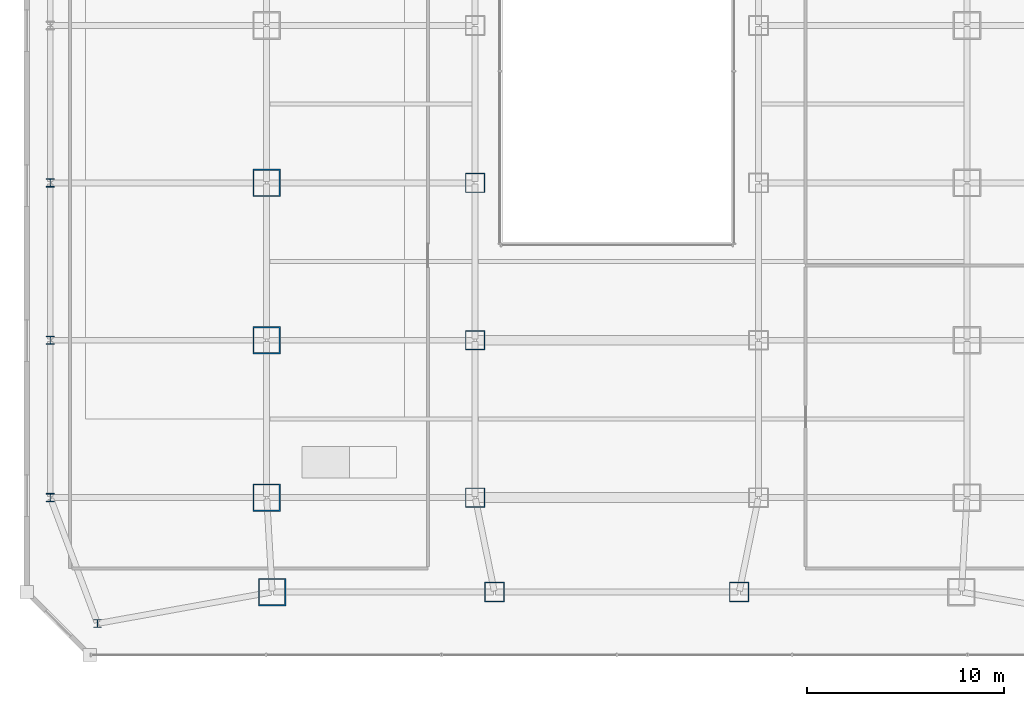
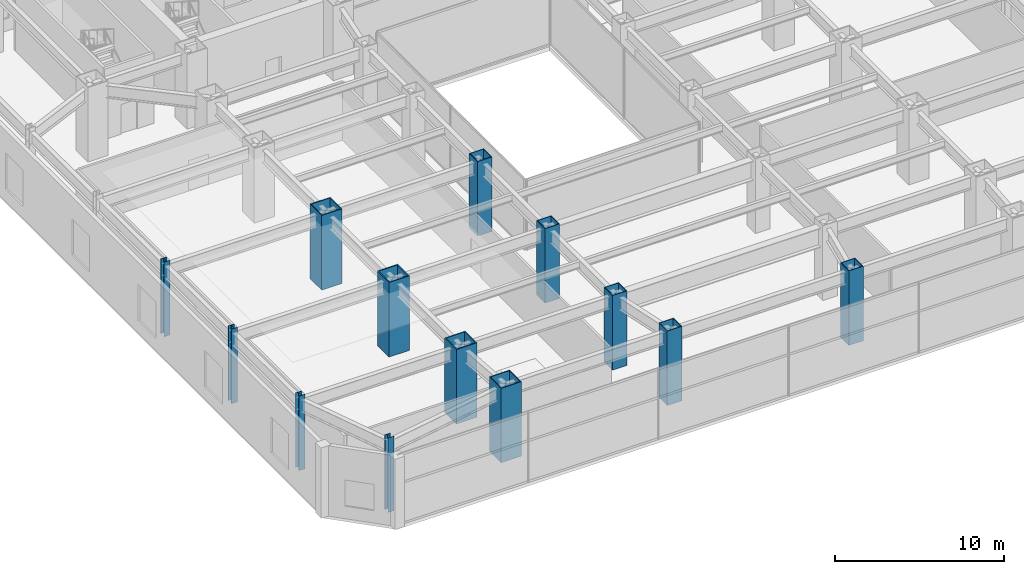
# One storey, part 1 of 51: 13 columns.
"""IFC4 building model written with IfcOpenShell, lengths in metres."""

import ifcopenshell
import ifcopenshell.guid

model = None  # the IFC model being written
_history = None  # IfcOwnerHistory: only IFC2X3 demands one
_inside = {}  # id of a spatial element -> (the spatial element, [elements in it])
_under = {}  # id of a project, library or spatial element -> (it, [spatial elements below it])
_declared = {}  # id of a project -> (the project, [libraries it declares])
_typed = {}  # id of a type object -> (the type object, [elements of that type])
_made_of = {}  # id of a material, layer set ... -> (it, [elements and type objects made of it])


def new_model(schema):
    """Start an empty IFC model of exactly this schema.

    Asked for "IFC4X3", IfcOpenShell would pick the latest addendum, in which some entities
    have other attributes; the version numbers below select the first issue.
    IFC2X3 requires an IfcOwnerHistory on every rooted entity: one is made here for all.
    """
    global model, _history
    if schema == "IFC4X3":
        model = ifcopenshell.file(schema_version=(4, 3, 0, 0))
    else:
        model = ifcopenshell.file(schema=schema)
    _inside.clear()
    _under.clear()
    _declared.clear()
    _typed.clear()
    _made_of.clear()
    _history = None
    if model.schema == "IFC2X3":
        org = make("IfcOrganization", Name="unknown")
        user = make(
            "IfcPersonAndOrganization",
            ThePerson=make("IfcPerson", FamilyName="unknown"),
            TheOrganization=org,
        )
        app = make(
            "IfcApplication",
            ApplicationDeveloper=org,
            Version="unknown",
            ApplicationFullName="unknown",
            ApplicationIdentifier="unknown",
        )
        _history = make(
            "IfcOwnerHistory",
            OwningUser=user,
            OwningApplication=app,
            ChangeAction="ADDED",
            CreationDate=0,
        )
    return model


def make(cls, **values):
    """One entity of the class cls with the attributes given. An attribute that is None is left unset."""
    return model.create_entity(
        cls, **{name: value for name, value in values.items() if value is not None}
    )


def rooted(cls, **values):
    """An entity with a GlobalId (a new one), such as an element, a storey or a relation."""
    return make(cls, GlobalId=ifcopenshell.guid.new(), OwnerHistory=_history, **values)


def si_unit(unit_type, name, prefix=None):
    """IfcSIUnit, for example si_unit("LENGTHUNIT", "METRE", prefix="MILLI")."""
    return make("IfcSIUnit", UnitType=unit_type, Prefix=prefix, Name=name)


def assignment(units):
    """IfcUnitAssignment: the units of a project."""
    return None if units is None else make("IfcUnitAssignment", Units=units)


def point(xyz):
    """IfcCartesianPoint."""
    return None if xyz is None else make("IfcCartesianPoint", Coordinates=xyz)


def direction(xyz):
    """IfcDirection."""
    return None if xyz is None else make("IfcDirection", DirectionRatios=xyz)


def frame(location, z_axis=None, x_axis=None):
    """IfcAxis2Placement3D, a coordinate frame: its origin and axes. An axis left out is left unset."""
    return make(
        "IfcAxis2Placement3D",
        Location=point(location),
        Axis=direction(z_axis),
        RefDirection=direction(x_axis),
    )


def frame_2d(location, x_axis=None):
    """IfcAxis2Placement2D, a coordinate frame in the plane: its origin and x axis."""
    return make(
        "IfcAxis2Placement2D", Location=point(location), RefDirection=direction(x_axis)
    )


def origin():
    """The frame at (0, 0, 0) with its axes left unset."""
    return frame((0.0, 0.0, 0.0))


def origin_2d():
    """The frame at (0, 0) in the plane with its x axis left unset."""
    return frame_2d((0.0, 0.0))


def place(relative_to, where):
    """IfcLocalPlacement: puts the frame where relative to a parent placement (None: the world)."""
    return make(
        "IfcLocalPlacement", PlacementRelTo=relative_to, RelativePlacement=where
    )


def context(
    kind, dimensions, precision=None, world=None, true_north=None, identifier=None
):
    """IfcGeometricRepresentationContext, for example the 3D "Model" context."""
    return make(
        "IfcGeometricRepresentationContext",
        ContextIdentifier=identifier,
        ContextType=kind,
        CoordinateSpaceDimension=dimensions,
        Precision=precision,
        WorldCoordinateSystem=world,
        TrueNorth=true_north,
    )


def subcontext(parent, identifier, kind, view, scale=None):
    """IfcGeometricRepresentationSubContext, for example "Body" below "Model"."""
    return make(
        "IfcGeometricRepresentationSubContext",
        ContextIdentifier=identifier,
        ContextType=kind,
        ParentContext=parent,
        TargetScale=scale,
        TargetView=view,
    )


def project(units=None, contexts=None):
    """IfcProject with its units and contexts."""
    return rooted(
        "IfcProject",
        Name="project",
        RepresentationContexts=contexts,
        UnitsInContext=assignment(units),
    )


def spatial(cls, under=None, at=None, **own):
    """A site, building, storey or space (cls), placed at a placement, below another one or the project."""
    s = rooted(cls, ObjectPlacement=at, **own)
    if under is not None:
        _under.setdefault(under.id(), (under, []))[1].append(s)
    return s


def profile(cls, at=None, kind="AREA", **sizes):
    """A parametric profile (cls). Its sizes go by their IFC names, for example OverallWidth=200.0."""
    return make(cls, ProfileType=kind, Position=at, **sizes)


def hollow_rectangle(**sizes):
    """IfcRectangleHollowProfileDef."""
    return profile("IfcRectangleHollowProfileDef", **sizes)


def i_section(**sizes):
    """IfcIShapeProfileDef."""
    return profile("IfcIShapeProfileDef", **sizes)


def extrude(swept, where, along, depth):
    """IfcExtrudedAreaSolid: the profile swept, set in the frame where, extruded along a direction by depth."""
    return make(
        "IfcExtrudedAreaSolid",
        SweptArea=swept,
        Position=where,
        ExtrudedDirection=direction(along),
        Depth=depth,
    )


def shape(context_of_items, identifier, shape_type, items):
    """IfcShapeRepresentation: the items that make up one representation, for example the "Body"."""
    return make(
        "IfcShapeRepresentation",
        ContextOfItems=context_of_items,
        RepresentationIdentifier=identifier,
        RepresentationType=shape_type,
        Items=items,
    )


def material(Name=None, Category=None):
    """IfcMaterial."""
    return make("IfcMaterial", Name=Name, Category=Category)


def material_profile(
    of_material, cross_section, Name=None, Category=None, Priority=None
):
    """IfcMaterialProfile: a cross section and its material."""
    return make(
        "IfcMaterialProfile",
        Name=Name,
        Material=of_material,
        Profile=cross_section,
        Priority=Priority,
        Category=Category,
    )


def profile_set(profiles, Name=None, composite=None):
    """IfcMaterialProfileSet."""
    return make(
        "IfcMaterialProfileSet",
        Name=Name,
        MaterialProfiles=profiles,
        CompositeProfile=composite,
    )


def made_of(thing, what):
    """Note that an element or type object is made of a material, layer set ...; save() writes the relation."""
    if what is not None:
        _made_of.setdefault(what.id(), (what, []))[1].append(thing)
    return thing


def type_object(cls, material=None, **own):
    """A type object (cls), such as IfcWallType, which elements share."""
    return made_of(rooted(cls, **own), material)


def element(
    cls,
    number,
    at=None,
    inside=None,
    cuts=None,
    type_object=None,
    material=None,
    context=None,
    identifier="Body",
    shape_type=None,
    held_by="IfcProductDefinitionShape",
    body=None,
    shapes=None,
    **own,
):
    """One element of the class cls, such as IfcWall. Its Tag is "e" and its number.

    at: its placement. inside: the storey or other place that contains it. cuts: it is an
    opening in that element (IfcRelVoidsElement). A single representation is given by context,
    identifier, shape_type and body (its items); several are given by shapes. held_by: the class
    of the entity that holds the representations. save() writes the other relations.
    """
    e = rooted(cls, Tag="e%d" % number, ObjectPlacement=at, **own)
    if body is not None:
        shapes = [shape(context, identifier, shape_type, body)]
    if shapes is not None:
        e.Representation = make(held_by, Representations=shapes)
    if inside is not None:
        _inside.setdefault(inside.id(), (inside, []))[1].append(e)
    if cuts is not None:
        rooted(
            "IfcRelVoidsElement", RelatingBuildingElement=cuts, RelatedOpeningElement=e
        )
    if type_object is not None:
        _typed.setdefault(type_object.id(), (type_object, []))[1].append(e)
    return made_of(e, material)


def aggregate(whole, parts):
    """IfcRelAggregates: a whole, such as a stair, and the parts it consists of."""
    return rooted("IfcRelAggregates", RelatingObject=whole, RelatedObjects=parts)


def save(model, path):
    """Write the relations noted so far, then the file.

    IfcRelAggregates (storeys below a building ...), IfcRelContainedInSpatialStructure (elements
    in a storey), IfcRelDefinesByType, IfcRelAssociatesMaterial and IfcRelDeclares: one each for
    every whole, place, type object, material and project.
    """
    for whole, parts in _under.values():
        aggregate(whole, parts)
    for where, things in _inside.values():
        rooted(
            "IfcRelContainedInSpatialStructure",
            RelatedElements=things,
            RelatingStructure=where,
        )
    for kind, things in _typed.values():
        rooted("IfcRelDefinesByType", RelatedObjects=things, RelatingType=kind)
    for what, things in _made_of.values():
        rooted("IfcRelAssociatesMaterial", RelatedObjects=things, RelatingMaterial=what)
    for by, libraries in _declared.values():
        rooted("IfcRelDeclares", RelatingContext=by, RelatedDefinitions=libraries)
    model.write(path)


model = new_model("IFC4")

# Units and contexts
model_context = context("Model", 3, precision=1e-05, world=origin(), true_north=direction((0.0, 1.0)))
body_context = subcontext(model_context, "Body", "Model", "MODEL_VIEW")
ifc_project = project(units=[si_unit("LENGTHUNIT", "METRE"), si_unit("AREAUNIT", "SQUARE_METRE"), si_unit("VOLUMEUNIT", "CUBIC_METRE"), si_unit("PLANEANGLEUNIT", "RADIAN"), si_unit("MASSUNIT", "GRAM", prefix="KILO")], contexts=[model_context])

# Site, building, storey
site_placement = place(None, origin())
site = spatial("IfcSite", under=ifc_project, at=site_placement, CompositionType="ELEMENT")
building_placement = place(site_placement, origin())
building = spatial("IfcBuilding", under=site, at=building_placement, Name="Saevonmaru Cultural Tower", CompositionType="ELEMENT")
storey_placement = place(building_placement, frame((0.0, 0.0, 6.0)))
storey = spatial("IfcBuildingStorey", under=building, at=storey_placement, Name="L01", CompositionType="ELEMENT", Elevation=6.0)

# Columns
ifc_material_1 = material(Name="Steel SM420", Category="steel")
ifc_material_profile_1 = material_profile(ifc_material_1, hollow_rectangle(XDim=1.0, YDim=1.0, WallThickness=0.044921875, at=origin_2d()), Name="BOX-1000x1000x45")
ifc_profile_set_1 = profile_set([ifc_material_profile_1], Name="Steel SM420")
column_type_1 = type_object("IfcColumnType", Name="COL-BOX-1000", PredefinedType="COLUMN", material=ifc_profile_set_1)
for number, where, z_axis, x_axis, name in (
    (1, (23.780029296875, 3.199951171875, 0.0), (0.0, 0.0, 1.0), (1.0, 0.0, 0.0), "L01 Column PC-W2-A"),
    (2, (36.219970703125, 3.199951171875, 0.0), (0.0, 0.0, 1.0), (1.0, 0.0, 0.0), "L01 Column PC-E2-A"),
    (3, (22.800048828125, 8.0, 0.0), (0.0, 0.0, 1.0), (1.0, 0.0, 0.0), "L01 Column PC-W2-B"),
    (4, (22.800048828125, 16.0, 0.0), (0.0, 0.0, 1.0), (1.0, 0.0, 0.0), "L01 Column PC-W2-C"),
    (5, (22.800048828125, 24.0, 0.0), (0.0, 0.0, 1.0), (1.0, 0.0, 0.0), "L01 Column PC-W2-D"),
):
    element("IfcColumn", number, at=place(storey_placement, frame(where, z_axis=z_axis, x_axis=x_axis)), inside=storey, type_object=column_type_1, Name=name, PredefinedType="COLUMN", context=body_context, shape_type="SweptSolid", body=[
        extrude(hollow_rectangle(XDim=1.0, YDim=1.0, WallThickness=0.044921875, at=origin_2d()), origin(), (0.0, 0.0, 1.0), 5.39990234375),
    ])
ifc_material_2 = material(Name="Steel HSA600 (600 MPa)", Category="steel")
ifc_material_profile_2 = material_profile(ifc_material_2, hollow_rectangle(XDim=1.39990234375, YDim=1.39990234375, WallThickness=0.06494140625, at=origin_2d()), Name="BOX-1400x1400x65")
ifc_profile_set_2 = profile_set([ifc_material_profile_2], Name="Steel HSA600 (600 MPa)")
column_type_2 = type_object("IfcColumnType", Name="COL-BOX-1400", PredefinedType="COLUMN", material=ifc_profile_set_2)
for number, where, z_axis, x_axis, name in (
    (6, (12.47998046875, 3.199951171875, 0.0), (0.0, 0.0, 1.0), (1.0, 0.0, 0.0), "L01 Column PC-W1-A"),
    (7, (12.199951171875, 8.0, 0.0), (0.0, 0.0, 1.0), (1.0, 0.0, 0.0), "L01 Column PC-W1-B"),
    (8, (12.199951171875, 16.0, 0.0), (0.0, 0.0, 1.0), (1.0, 0.0, 0.0), "L01 Column PC-W1-C"),
    (9, (12.199951171875, 24.0, 0.0), (0.0, 0.0, 1.0), (1.0, 0.0, 0.0), "L01 Column PC-W1-D"),
):
    element("IfcColumn", number, at=place(storey_placement, frame(where, z_axis=z_axis, x_axis=x_axis)), inside=storey, type_object=column_type_2, Name=name, PredefinedType="COLUMN", context=body_context, shape_type="SweptSolid", body=[
        extrude(hollow_rectangle(XDim=1.39990234375, YDim=1.39990234375, WallThickness=0.06494140625, at=origin_2d()), origin(), (0.0, 0.0, 1.0), 5.39990234375),
    ])
ifc_material_3 = material(Name="Steel SM355", Category="steel")
ifc_material_profile_3 = material_profile(ifc_material_3, i_section(OverallWidth=0.39990234375, OverallDepth=0.39990234375, WebThickness=0.012939453125, FlangeThickness=0.02099609375, FilletRadius=0.02197265625, at=origin_2d()), Name="H-400x400x13x21")
ifc_profile_set_3 = profile_set([ifc_material_profile_3], Name="Steel SM355")
column_type_3 = type_object("IfcColumnType", Name="COL-H-400", PredefinedType="COLUMN", material=ifc_profile_set_3)
column_placement = place(storey_placement, frame((3.60009765625, 1.60009765625, 0.0), z_axis=(0.0, 0.0, 1.0), x_axis=(1.0, 0.0, 0.0)))
element("IfcColumn", 10, at=column_placement, inside=storey, type_object=column_type_3, Name="L01 Column PC-PS-SW", PredefinedType="COLUMN", context=body_context, shape_type="SweptSolid", body=[
    extrude(i_section(OverallWidth=0.39990234375, OverallDepth=0.39990234375, WebThickness=0.012939453125, FlangeThickness=0.02099609375, FilletRadius=0.02197265625, at=origin_2d()), origin(), (0.0, 0.0, 1.0), 5.39990234375),
])
ifc_material_profile_4 = material_profile(ifc_material_1, i_section(OverallWidth=0.419921875, OverallDepth=0.419921875, WebThickness=0.02001953125, FlangeThickness=0.034912109375, FilletRadius=0.02197265625, at=origin_2d()), Name="H-428x407x20x35")
ifc_profile_set_4 = profile_set([ifc_material_profile_4], Name="Steel SM420")
column_type_4 = type_object("IfcColumnType", Name="COL-H-428", PredefinedType="COLUMN", material=ifc_profile_set_4)
for number, where, z_axis, x_axis, name in (
    (11, (1.199951171875, 8.0, 0.0), (0.0, 0.0, 1.0), (1.0, 0.0, 0.0), "L01 Column PC-PW-B"),
    (12, (1.199951171875, 16.0, 0.0), (0.0, 0.0, 1.0), (1.0, 0.0, 0.0), "L01 Column PC-PW-C"),
    (13, (1.199951171875, 24.0, 0.0), (0.0, 0.0, 1.0), (1.0, 0.0, 0.0), "L01 Column PC-PW-D"),
):
    element("IfcColumn", number, at=place(storey_placement, frame(where, z_axis=z_axis, x_axis=x_axis)), inside=storey, type_object=column_type_4, Name=name, PredefinedType="COLUMN", context=body_context, shape_type="SweptSolid", body=[
        extrude(i_section(OverallWidth=0.419921875, OverallDepth=0.419921875, WebThickness=0.02001953125, FlangeThickness=0.034912109375, FilletRadius=0.02197265625, at=origin_2d()), origin(), (0.0, 0.0, 1.0), 5.39990234375),
    ])

save(model, "model.ifc")
